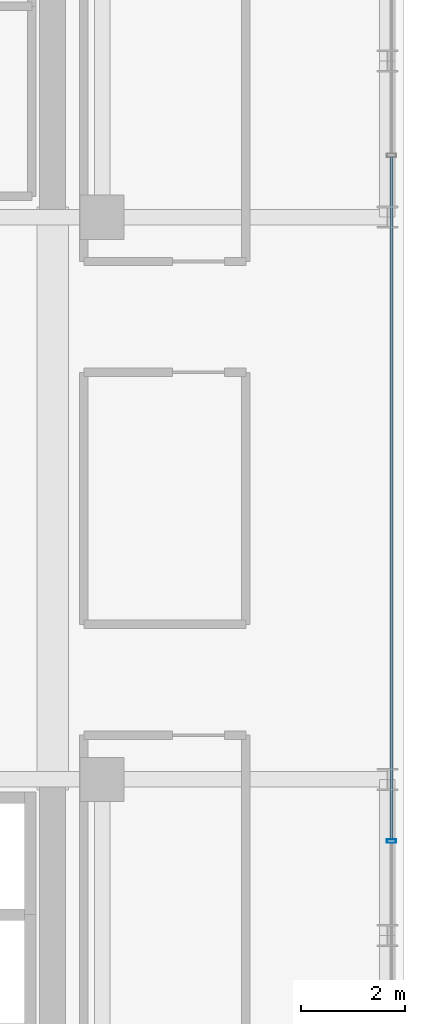
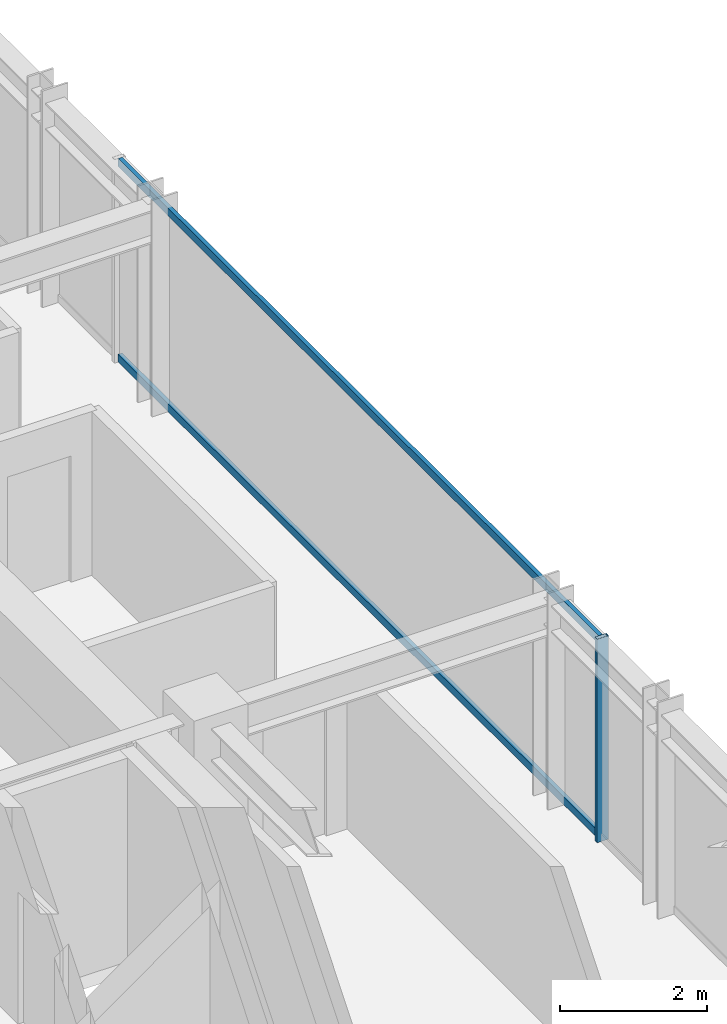
# One storey, part 16 of 31: 3 members, 1 element without a shape of its own.
"""IFC4 building model written with IfcOpenShell, lengths in metres."""

from ifc_helpers import new_model, si_unit, direction, frame, origin, origin_2d, place, context, subcontext, project, spatial, hollow_rectangle, extrude, source, transform, mapped, material, material_profile, profile_set, type_object, element, aggregate, save


model = new_model("IFC4")

# Units and contexts
model_context = context("Model", 3, precision=1e-05, world=origin(), true_north=direction((0.0, 1.0)))
body_context = subcontext(model_context, "Body", "Model", "MODEL_VIEW")
ifc_project = project(units=[si_unit("LENGTHUNIT", "METRE"), si_unit("AREAUNIT", "SQUARE_METRE"), si_unit("VOLUMEUNIT", "CUBIC_METRE"), si_unit("PLANEANGLEUNIT", "RADIAN"), si_unit("MASSUNIT", "GRAM", prefix="KILO")], contexts=[model_context])

# Site, building, storey
site_placement = place(None, origin())
site = spatial("IfcSite", under=ifc_project, at=site_placement, CompositionType="ELEMENT")
building_placement = place(site_placement, origin())
building = spatial("IfcBuilding", under=site, at=building_placement, Name="Nahalor Promenade Grand Hotel", CompositionType="ELEMENT")
storey_placement = place(building_placement, frame((0.0, 0.0, 156.300048828125)))
storey = spatial("IfcBuildingStorey", under=building, at=storey_placement, Name="L39", CompositionType="ELEMENT", Elevation=156.300048828125)

# Curtain wall, members
ifc_material = material(Name="Anodised Bronze Aluminium EN AW-6063 T6", Category="aluminium")
curtain_wall_type = type_object("IfcCurtainWallType", Name="CW2 Typical Hotel Flush Bronze Unitised Curtain Wall", PredefinedType="USERDEFINED", material=ifc_material)
curtain_wall_placement = place(storey_placement, origin())
curtain_wall = element("IfcCurtainWall", 1, at=curtain_wall_placement, inside=storey, type_object=curtain_wall_type, Name="L39 Curtain Wall CW-L39-E-1", ObjectType="UNITISED_CURTAIN_WALL", PredefinedType="USERDEFINED")
ifc_material_profile_1 = material_profile(ifc_material, hollow_rectangle(XDim=0.065, YDim=0.18, WallThickness=0.004, at=origin_2d()), Name="CWM 65x180x4")
ifc_profile_set_1 = profile_set([ifc_material_profile_1], Name="Anodised Bronze Aluminium EN AW-6063 T6")
member_type_1 = type_object("IfcMemberType", Name="CWM2 Typical Bronze Mullion 65x180", PredefinedType="MULLION", material=ifc_profile_set_1)
shared_shape_1 = source(origin(), body_context, "Body", "SweptSolid", [
    extrude(hollow_rectangle(XDim=0.065, YDim=0.18, WallThickness=0.004, at=origin_2d()), origin(), (0.0, 0.0, 1.0), 3.389892578125),
])
member_1_placement = place(storey_placement, frame((22.56005859375, -6.586669921875, 0.0), z_axis=(0.0, 0.0, 1.0), x_axis=(0.0, 1.0, 0.0)))
member_1 = element("IfcMember", 2, at=member_1_placement, type_object=member_type_1, Name="CW-L39-E-1 Mullion 1", PredefinedType="MULLION", context=body_context, shape_type="MappedRepresentation", body=[
    mapped(shared_shape_1, transform((0.0, 0.0, 0.0), scale=1.0)),
])
ifc_material_profile_2 = material_profile(ifc_material, hollow_rectangle(XDim=0.065, YDim=0.13, WallThickness=0.004, at=origin_2d()), Name="CWT 65x130x4")
ifc_profile_set_2 = profile_set([ifc_material_profile_2], Name="Anodised Bronze Aluminium EN AW-6063 T6")
member_type_2 = type_object("IfcMemberType", Name="CWT2 Typical Bronze Transom 65x130", PredefinedType="USERDEFINED", material=ifc_profile_set_2)
shared_shape_2 = source(origin(), body_context, "Body", "SweptSolid", [
    extrude(hollow_rectangle(XDim=0.065, YDim=0.13, WallThickness=0.004, at=origin_2d()), origin(), (0.0, 0.0, 1.0), 13.1083984375),
])
member_2_placement = place(storey_placement, frame((22.56005859375, -6.55419921875, 0.06494140625), z_axis=(0.0, 1.0, 0.0), x_axis=(-1.0, 0.0, 0.0)))
member_2 = element("IfcMember", 3, at=member_2_placement, type_object=member_type_2, Name="CW-L39-E-1 Transom 1-0", ObjectType="TRANSOM", PredefinedType="USERDEFINED", context=body_context, shape_type="MappedRepresentation", body=[
    mapped(shared_shape_2, transform((0.0, 0.0, 0.0), scale=1.0)),
])
member_3_placement = place(storey_placement, frame((22.56005859375, -6.55419921875, 3.324951171875), z_axis=(0.0, 1.0, 0.0), x_axis=(-1.0, 0.0, 0.0)))
member_3 = element("IfcMember", 4, at=member_3_placement, type_object=member_type_2, Name="CW-L39-E-1 Transom 1-1", ObjectType="TRANSOM", PredefinedType="USERDEFINED", context=body_context, shape_type="MappedRepresentation", body=[
    mapped(shared_shape_2, transform((0.0, 0.0, 0.0), scale=1.0)),
])
aggregate(curtain_wall, [member_1, member_2, member_3])

save(model, "model.ifc")
